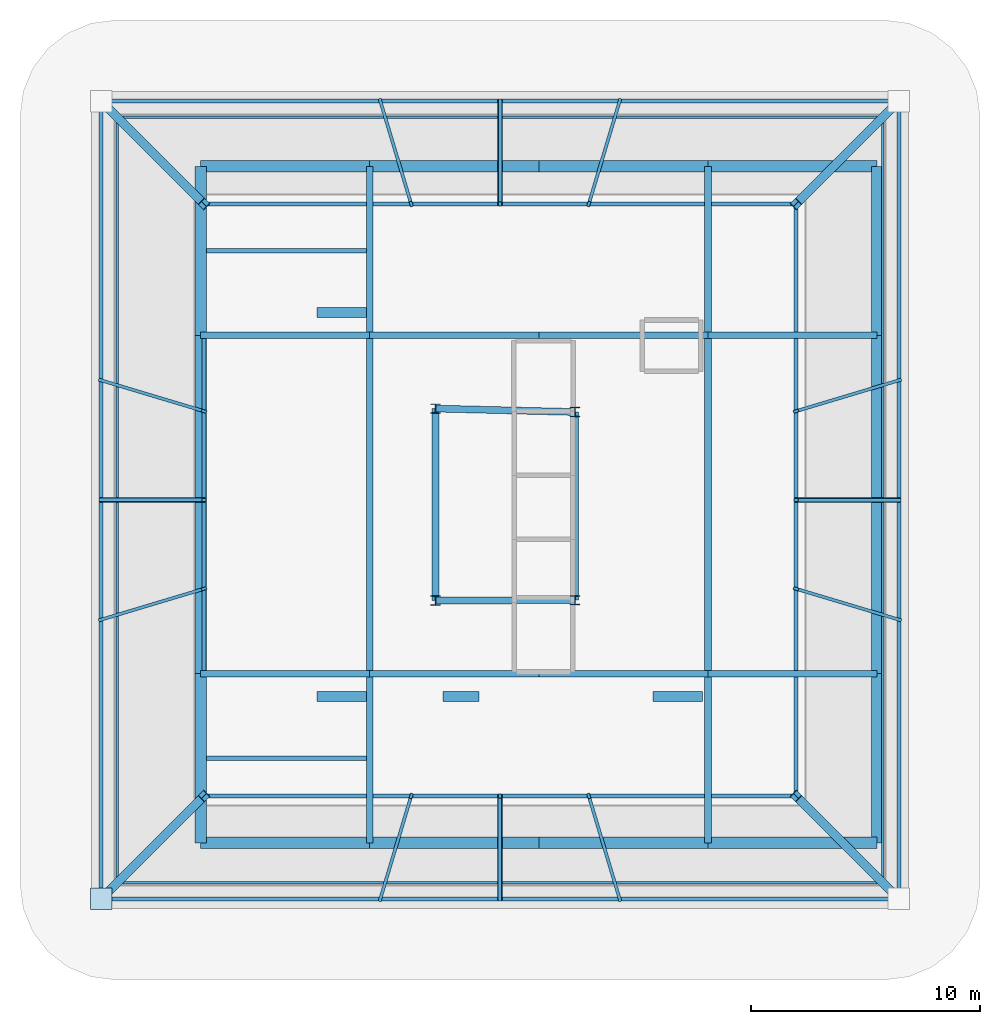
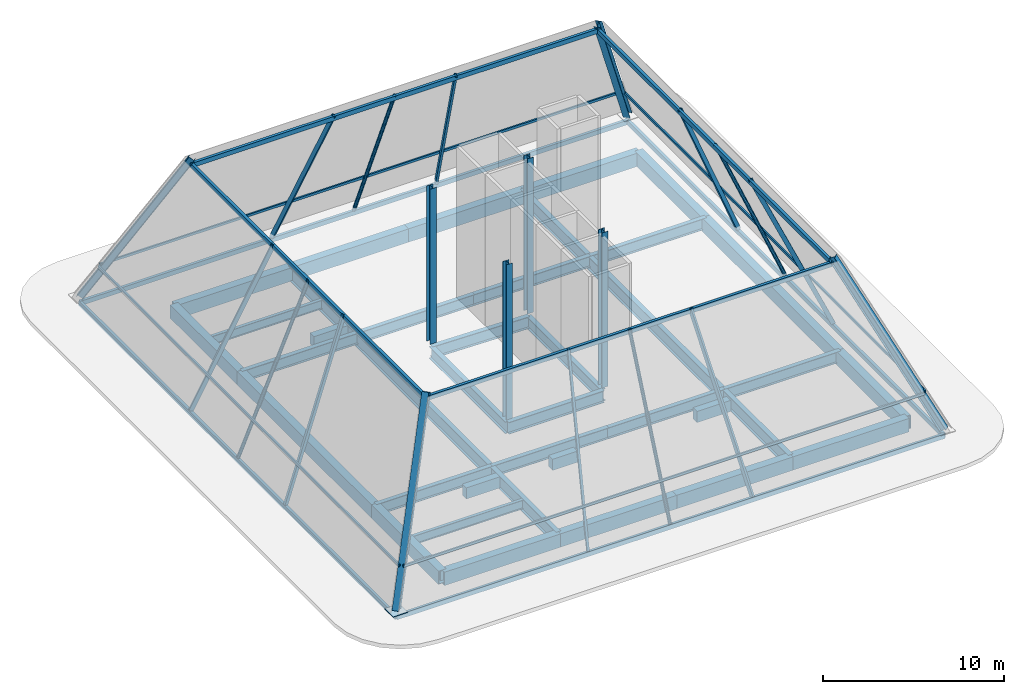
# One storey, part 1 of 2: 46 beams, 20 members, 4 columns, 1 plate, 4 elements without a shape of their own.
"""IFC4 building model written with IfcOpenShell, lengths in metres."""

from ifc_helpers import new_model, si_unit, direction, frame, origin, origin_2d, place, context, subcontext, project, spatial, rectangle, hollow_rectangle, hollow_circle, i_section, extrude, material, layer, layer_set, material_profile, profile_set, type_object, element, aggregate, save


model = new_model("IFC4")

# Units and contexts
model_context = context("Model", 3, precision=1e-05, world=origin(), true_north=direction((0.0, 1.0)))
body_context = subcontext(model_context, "Body", "Model", "MODEL_VIEW")
ifc_project = project(units=[si_unit("LENGTHUNIT", "METRE"), si_unit("AREAUNIT", "SQUARE_METRE"), si_unit("VOLUMEUNIT", "CUBIC_METRE"), si_unit("PLANEANGLEUNIT", "RADIAN"), si_unit("MASSUNIT", "GRAM", prefix="KILO")], contexts=[model_context])

# Site, building, storey
site_placement = place(None, origin())
site = spatial("IfcSite", under=ifc_project, at=site_placement, CompositionType="ELEMENT")
building_placement = place(site_placement, origin())
building = spatial("IfcBuilding", under=site, at=building_placement, Name="Khorvyn Point Tower", CompositionType="ELEMENT")
storey_placement = place(building_placement, frame((0.0, 0.0, 313.199951171875)))
storey = spatial("IfcBuildingStorey", under=building, at=storey_placement, Name="L77", CompositionType="ELEMENT", Elevation=313.199951171875)

# Columns
ifc_material_1 = material(Name="Steel S355", Category="steel")
ifc_material_profile_1 = material_profile(ifc_material_1, i_section(OverallWidth=0.39990234375, OverallDepth=0.39990234375, WebThickness=0.02099609375, FlangeThickness=0.02099609375, at=origin_2d()))
ifc_profile_set_1 = profile_set([ifc_material_profile_1], Name="Steel S355 H400x400x21x21")
column_type = type_object("IfcColumnType", Name="Steel S355 Structural Column H400x400x21x21", PredefinedType="COLUMN", material=ifc_profile_set_1)
for number, where, z_axis, x_axis, name in (
    (1, (-4.52001953125, -4.199951171875, 0.0), (0.0, 0.0, 1.0), (1.0, 0.0, 0.0), "L77 Crown Core Spine Column 1"),
    (2, (1.580078125, -4.179931640625, 0.0), (0.0, 0.0, 1.0), (1.0, 0.0, 0.0), "L77 Crown Core Spine Column 2"),
    (3, (1.580078125, 4.050048828125, 0.0), (0.0, 0.0, 1.0), (1.0, 0.0, 0.0), "L77 Crown Core Spine Column 3"),
    (4, (-4.52001953125, 4.199951171875, 0.0), (0.0, 0.0, 1.0), (1.0, 0.0, 0.0), "L77 Crown Core Spine Column 4"),
):
    element("IfcColumn", number, at=place(storey_placement, frame(where, z_axis=z_axis, x_axis=x_axis)), inside=storey, type_object=column_type, Name=name, PredefinedType="COLUMN", context=body_context, shape_type="SweptSolid", body=[
        extrude(i_section(OverallWidth=0.39990234375, OverallDepth=0.39990234375, WebThickness=0.02099609375, FlangeThickness=0.02099609375, at=origin_2d()), origin(), (0.0, 0.0, 1.0), 10.449951171875),
    ])

# Curtain wall, member
ifc_material_2 = material(Name="Anodised aluminium 6063-T6 and laminated Low-E glass", Category="aluminium")
ifc_layer_1 = layer(ifc_material_2, 0.18994140625)
ifc_layer_set_1 = layer_set([ifc_layer_1], Name="Stick-Built Crystal Atrium Curtain Wall CW-SYS-06")
curtain_wall_type = type_object("IfcCurtainWallType", Name="Stick-Built Crystal Atrium Curtain Wall CW-SYS-06", PredefinedType="NOTDEFINED", material=ifc_layer_set_1)
curtain_wall_1_placement = place(storey_placement, origin())
curtain_wall_1 = element("IfcCurtainWall", 5, at=curtain_wall_1_placement, inside=storey, type_object=curtain_wall_type, Name="L77 Glass-Point Crown Pyramid South Curtain Wall", PredefinedType="NOTDEFINED")
ifc_material_3 = material(Name="Anodised aluminium 6063-T6", Category="aluminium")
ifc_material_profile_2 = material_profile(ifc_material_3, hollow_rectangle(XDim=0.10009765625, YDim=0.159912109375, WallThickness=0.00439453125, at=origin_2d()))
ifc_profile_set_2 = profile_set([ifc_material_profile_2], Name="Anodised aluminium 6063-T6 ALU-TRN-100x160")
member_type_1 = type_object("IfcMemberType", Name="Anodised Aluminium 6063-T6 Transom ALU-TRN-100x160", PredefinedType="USERDEFINED", material=ifc_profile_set_2)
member_1_placement = place(storey_placement, frame((-18.31005859375, -16.550048828125, 2.299072265625), z_axis=(1.0, 0.0, 0.0), x_axis=(0.0, 1.0, 0.0)))
member_1 = element("IfcMember", 6, at=member_1_placement, type_object=member_type_1, Name="L77 Crown Transom SOUTH", ObjectType="TRANSOM", PredefinedType="USERDEFINED", context=body_context, shape_type="SweptSolid", body=[
    extrude(hollow_rectangle(XDim=0.10009765625, YDim=0.159912109375, WallThickness=0.00439453125, at=origin_2d()), origin(), (0.0, 0.0, 1.0), 33.219970703125),
])
aggregate(curtain_wall_1, [member_1])

curtain_wall_2_placement = place(storey_placement, origin())
curtain_wall_2 = element("IfcCurtainWall", 7, at=curtain_wall_2_placement, inside=storey, type_object=curtain_wall_type, Name="L77 Glass-Point Crown Pyramid East Curtain Wall", PredefinedType="NOTDEFINED")
member_2_placement = place(storey_placement, frame((15.050048828125, -16.409912109375, 2.299072265625), z_axis=(0.0, 1.0, 0.0), x_axis=(-1.0, 0.0, 0.0)))
member_2 = element("IfcMember", 8, at=member_2_placement, type_object=member_type_1, Name="L77 Crown Transom EAST", ObjectType="TRANSOM", PredefinedType="USERDEFINED", context=body_context, shape_type="SweptSolid", body=[
    extrude(hollow_rectangle(XDim=0.10009765625, YDim=0.159912109375, WallThickness=0.00439453125, at=origin_2d()), origin(), (0.0, 0.0, 1.0), 33.219970703125),
])
aggregate(curtain_wall_2, [member_2])

curtain_wall_3_placement = place(storey_placement, origin())
curtain_wall_3 = element("IfcCurtainWall", 9, at=curtain_wall_3_placement, inside=storey, type_object=curtain_wall_type, Name="L77 Glass-Point Crown Pyramid North Curtain Wall", PredefinedType="NOTDEFINED")
member_3_placement = place(storey_placement, frame((14.909912109375, 16.949951171875, 2.299072265625), z_axis=(-1.0, 0.0, 0.0), x_axis=(0.0, -1.0, 0.0)))
member_3 = element("IfcMember", 10, at=member_3_placement, type_object=member_type_1, Name="L77 Crown Transom NORTH", ObjectType="TRANSOM", PredefinedType="USERDEFINED", context=body_context, shape_type="SweptSolid", body=[
    extrude(hollow_rectangle(XDim=0.10009765625, YDim=0.159912109375, WallThickness=0.00439453125, at=origin_2d()), origin(), (0.0, 0.0, 1.0), 33.219970703125),
])
aggregate(curtain_wall_3, [member_3])

curtain_wall_4_placement = place(storey_placement, origin())
curtain_wall_4 = element("IfcCurtainWall", 11, at=curtain_wall_4_placement, inside=storey, type_object=curtain_wall_type, Name="L77 Glass-Point Crown Pyramid West Curtain Wall", PredefinedType="NOTDEFINED")
member_4_placement = place(storey_placement, frame((-18.449951171875, 16.81005859375, 2.299072265625), z_axis=(0.0, -1.0, 0.0), x_axis=(1.0, 0.0, 0.0)))
member_4 = element("IfcMember", 12, at=member_4_placement, type_object=member_type_1, Name="L77 Crown Transom WEST", ObjectType="TRANSOM", PredefinedType="USERDEFINED", context=body_context, shape_type="SweptSolid", body=[
    extrude(hollow_rectangle(XDim=0.10009765625, YDim=0.159912109375, WallThickness=0.00439453125, at=origin_2d()), origin(), (0.0, 0.0, 1.0), 33.219970703125),
])
aggregate(curtain_wall_4, [member_4])

# Beams
ifc_material_4 = material(Name="Concrete C40/50", Category="concrete")
ifc_material_profile_3 = material_profile(ifc_material_4, rectangle(XDim=0.449951171875, YDim=0.75, at=origin_2d()))
ifc_profile_set_3 = profile_set([ifc_material_profile_3], Name="Concrete C40/50 RC450x750")
beam_type_1 = type_object("IfcBeamType", Name="Concrete C40/50 Beam RC450x750", PredefinedType="BEAM", material=ifc_profile_set_3)
beam_1_placement = place(storey_placement, frame((-9.699951171875, -8.39990234375, -0.635009765625), z_axis=(1.0, 0.0, 0.0), x_axis=(0.0, 1.0, 0.0)))
element("IfcBeam", 13, at=beam_1_placement, inside=storey, type_object=beam_type_1, Name="L77 Core Southwest Portal Coupling Beam", PredefinedType="BEAM", context=body_context, shape_type="SweptSolid", body=[
    extrude(rectangle(XDim=0.449951171875, YDim=0.75, at=origin_2d()), origin(), (0.0, 0.0, 1.0), 2.14990234375),
])
beam_2_placement = place(storey_placement, frame((-4.199951171875, -8.39990234375, -0.635009765625), z_axis=(1.0, 0.0, 0.0), x_axis=(0.0, 1.0, 0.0)))
element("IfcBeam", 14, at=beam_2_placement, inside=storey, type_object=beam_type_1, Name="L77 Core Shuttle Portal Coupling Beam", PredefinedType="BEAM", context=body_context, shape_type="SweptSolid", body=[
    extrude(rectangle(XDim=0.449951171875, YDim=0.75, at=origin_2d()), origin(), (0.0, 0.0, 1.0), 1.579833984375),
])
for number, where, z_axis, x_axis, name in (
    (15, (5.0, -8.39990234375, -0.635009765625), (1.0, 0.0, 0.0), (0.0, 1.0, 0.0), "L77 Core Southeast Portal Coupling Beam"),
    (16, (-9.699951171875, 8.39990234375, -0.635009765625), (1.0, 0.0, 0.0), (0.0, 1.0, 0.0), "L77 Core Northwest Portal Coupling Beam"),
):
    element("IfcBeam", number, at=place(storey_placement, frame(where, z_axis=z_axis, x_axis=x_axis)), inside=storey, type_object=beam_type_1, Name=name, PredefinedType="BEAM", context=body_context, shape_type="SweptSolid", body=[
        extrude(rectangle(XDim=0.449951171875, YDim=0.75, at=origin_2d()), origin(), (0.0, 0.0, 1.0), 2.14990234375),
    ])
ifc_material_profile_4 = material_profile(ifc_material_1, i_section(OverallWidth=0.199951171875, OverallDepth=0.60009765625, WebThickness=0.010986328125, FlangeThickness=0.01708984375, at=origin_2d()))
ifc_profile_set_4 = profile_set([ifc_material_profile_4], Name="Steel S355 H600x200x11x17")
beam_type_2 = type_object("IfcBeamType", Name="Steel S355 Beam H600x200x11x17", PredefinedType="BEAM", material=ifc_profile_set_4)
for number, where, z_axis, x_axis, name in (
    (17, (-14.550048828125, -11.10009765625, -0.56005859375), (1.0, 0.0, 0.0), (0.0, 1.0, 0.0), "Beam"),
    (18, (-14.550048828125, 11.10009765625, -0.56005859375), (1.0, 0.0, 0.0), (0.0, 1.0, 0.0), "Beam"),
):
    element("IfcBeam", number, at=place(storey_placement, frame(where, z_axis=z_axis, x_axis=x_axis)), inside=storey, type_object=beam_type_2, Name=name, PredefinedType="BEAM", context=body_context, shape_type="SweptSolid", body=[
        extrude(i_section(OverallWidth=0.199951171875, OverallDepth=0.60009765625, WebThickness=0.010986328125, FlangeThickness=0.01708984375, at=origin_2d()), origin(), (0.0, 0.0, 1.0), 7.0),
    ])
ifc_material_profile_5 = material_profile(ifc_material_1, i_section(OverallWidth=0.280029296875, OverallDepth=0.75, WebThickness=0.012939453125, FlangeThickness=0.02392578125, at=origin_2d()))
ifc_profile_set_5 = profile_set([ifc_material_profile_5], Name="Steel S355 H750x280x13x24")
beam_type_3 = type_object("IfcBeamType", Name="Steel S355 Beam H750x280x13x24", PredefinedType="BEAM", material=ifc_profile_set_5)
beam_3_placement = place(storey_placement, frame((-14.800048828125, -7.39990234375, -0.635009765625), z_axis=(1.0, 0.0, 0.0), x_axis=(0.0, 1.0, 0.0)))
element("IfcBeam", 19, at=beam_3_placement, inside=storey, type_object=beam_type_3, Name="L77 Crown Base Transfer Girder X", PredefinedType="BEAM", context=body_context, shape_type="SweptSolid", body=[
    extrude(i_section(OverallWidth=0.280029296875, OverallDepth=0.75, WebThickness=0.012939453125, FlangeThickness=0.02392578125, at=origin_2d()), origin(), (0.0, 0.0, 1.0), 7.400146484375),
])
for number, where, z_axis, x_axis, name in (
    (20, (-7.39990234375, -7.39990234375, -0.635009765625), (1.0, 0.0, 0.0), (0.0, 1.0, 0.0), "L77 Crown Base Transfer Girder X"),
    (21, (0.0, -7.39990234375, -0.635009765625), (1.0, 0.0, 0.0), (0.0, 1.0, 0.0), "L77 Crown Base Transfer Girder X"),
):
    element("IfcBeam", number, at=place(storey_placement, frame(where, z_axis=z_axis, x_axis=x_axis)), inside=storey, type_object=beam_type_3, Name=name, PredefinedType="BEAM", context=body_context, shape_type="SweptSolid", body=[
        extrude(i_section(OverallWidth=0.280029296875, OverallDepth=0.75, WebThickness=0.012939453125, FlangeThickness=0.02392578125, at=origin_2d()), origin(), (0.0, 0.0, 1.0), 7.39990234375),
    ])
for number, where, z_axis, x_axis, name in (
    (22, (7.39990234375, -7.39990234375, -0.635009765625), (1.0, 0.0, 0.0), (0.0, 1.0, 0.0), "L77 Crown Base Transfer Girder X"),
    (23, (-14.800048828125, 7.39990234375, -0.635009765625), (1.0, 0.0, 0.0), (0.0, 1.0, 0.0), "L77 Crown Base Transfer Girder X"),
):
    element("IfcBeam", number, at=place(storey_placement, frame(where, z_axis=z_axis, x_axis=x_axis)), inside=storey, type_object=beam_type_3, Name=name, PredefinedType="BEAM", context=body_context, shape_type="SweptSolid", body=[
        extrude(i_section(OverallWidth=0.280029296875, OverallDepth=0.75, WebThickness=0.012939453125, FlangeThickness=0.02392578125, at=origin_2d()), origin(), (0.0, 0.0, 1.0), 7.400146484375),
    ])
for number, where, z_axis, x_axis, name in (
    (24, (-7.39990234375, 7.39990234375, -0.635009765625), (1.0, 0.0, 0.0), (0.0, 1.0, 0.0), "L77 Crown Base Transfer Girder X"),
    (25, (0.0, 7.39990234375, -0.635009765625), (1.0, 0.0, 0.0), (0.0, 1.0, 0.0), "L77 Crown Base Transfer Girder X"),
):
    element("IfcBeam", number, at=place(storey_placement, frame(where, z_axis=z_axis, x_axis=x_axis)), inside=storey, type_object=beam_type_3, Name=name, PredefinedType="BEAM", context=body_context, shape_type="SweptSolid", body=[
        extrude(i_section(OverallWidth=0.280029296875, OverallDepth=0.75, WebThickness=0.012939453125, FlangeThickness=0.02392578125, at=origin_2d()), origin(), (0.0, 0.0, 1.0), 7.39990234375),
    ])
beam_4_placement = place(storey_placement, frame((7.39990234375, 7.39990234375, -0.635009765625), z_axis=(1.0, 0.0, 0.0), x_axis=(0.0, 1.0, 0.0)))
element("IfcBeam", 26, at=beam_4_placement, inside=storey, type_object=beam_type_3, Name="L77 Crown Base Transfer Girder X", PredefinedType="BEAM", context=body_context, shape_type="SweptSolid", body=[
    extrude(i_section(OverallWidth=0.280029296875, OverallDepth=0.75, WebThickness=0.012939453125, FlangeThickness=0.02392578125, at=origin_2d()), origin(), (0.0, 0.0, 1.0), 7.400146484375),
])
ifc_material_profile_6 = material_profile(ifc_material_1, hollow_rectangle(XDim=0.179931640625, YDim=0.300048828125, WallThickness=0.011962890625, at=origin_2d()))
ifc_profile_set_6 = profile_set([ifc_material_profile_6], Name="Steel S355 RHS300x180x12")
beam_type_4 = type_object("IfcBeamType", Name="Steel S355 Beam RHS300x180x12", PredefinedType="BEAM", material=ifc_profile_set_6)
for number, where, z_axis, x_axis, name in (
    (27, (-19.14990234375, -17.25, -0.409912109375), (1.0, 0.0, 0.0), (0.0, 1.0, 0.0), "L77 Crown Base Ring Beam 1"),
    (28, (15.75, -17.25, -0.409912109375), (0.0, 1.0, 0.0), (-1.0, 0.0, 0.0), "L77 Crown Base Ring Beam 2"),
    (29, (15.75, 17.64990234375, -0.409912109375), (-1.0, 0.0, 0.0), (0.0, -1.0, 0.0), "L77 Crown Base Ring Beam 3"),
    (30, (-19.14990234375, 17.64990234375, -0.409912109375), (0.0, -1.0, 0.0), (1.0, 0.0, 0.0), "L77 Crown Base Ring Beam 4"),
):
    element("IfcBeam", number, at=place(storey_placement, frame(where, z_axis=z_axis, x_axis=x_axis)), inside=storey, type_object=beam_type_4, Name=name, PredefinedType="BEAM", context=body_context, shape_type="SweptSolid", body=[
        extrude(hollow_rectangle(XDim=0.179931640625, YDim=0.300048828125, WallThickness=0.011962890625, at=origin_2d()), origin(), (0.0, 0.0, 1.0), 34.89990234375),
    ])
for number, where, z_axis, x_axis, name in (
    (31, (-14.64990234375, -12.75, 10.0400390625), (1.0, 0.0, 0.0), (0.0, 1.0, 0.0), "L77 Crown Top Ring Beam 1"),
    (32, (11.25, -12.75, 10.0400390625), (0.0, 1.0, 0.0), (-1.0, 0.0, 0.0), "L77 Crown Top Ring Beam 2"),
    (33, (11.25, 13.14990234375, 10.0400390625), (-1.0, 0.0, 0.0), (0.0, -1.0, 0.0), "L77 Crown Top Ring Beam 3"),
    (34, (-14.64990234375, 13.14990234375, 10.0400390625), (0.0, -1.0, 0.0), (1.0, 0.0, 0.0), "L77 Crown Top Ring Beam 4"),
):
    element("IfcBeam", number, at=place(storey_placement, frame(where, z_axis=z_axis, x_axis=x_axis)), inside=storey, type_object=beam_type_4, Name=name, PredefinedType="BEAM", context=body_context, shape_type="SweptSolid", body=[
        extrude(hollow_rectangle(XDim=0.179931640625, YDim=0.300048828125, WallThickness=0.011962890625, at=origin_2d()), origin(), (0.0, 0.0, 1.0), 25.89990234375),
    ])

# Members
ifc_material_profile_7 = material_profile(ifc_material_1, i_section(OverallWidth=0.39990234375, OverallDepth=0.39990234375, WebThickness=0.02099609375, FlangeThickness=0.02099609375, at=origin_2d()))
ifc_profile_set_7 = profile_set([ifc_material_profile_7], Name="Steel S355 H400x400x21x21")
member_type_2 = type_object("IfcMemberType", Name="Steel S355 Exoskeleton Structural Post H400x400x21x21", PredefinedType="POST", material=ifc_profile_set_7)
for number, where, z_axis, x_axis, name in (
    (35, (-19.14990234375, -17.25, 0.0), (0.367789619495, 0.367789619495, 0.85408523672), (-0.707106781187, 0.707106781187, 0.0), "L77 CROWN FRAME Corner Hip Post 1"),
    (36, (15.75, -17.25, 0.0), (-0.367789619495, 0.367789619495, 0.85408523672), (-0.707106781187, -0.707106781187, 0.0), "L77 CROWN FRAME Corner Hip Post 2"),
    (37, (15.75, 17.64990234375, 0.0), (-0.367789619495, -0.367789619495, 0.85408523672), (0.707106781187, -0.707106781187, 0.0), "L77 CROWN FRAME Corner Hip Post 3"),
    (38, (-19.14990234375, 17.64990234375, 0.0), (0.367789619495, -0.367789619495, 0.85408523672), (0.707106781187, 0.707106781187, 0.0), "L77 CROWN FRAME Corner Hip Post 4"),
):
    element("IfcMember", number, at=place(storey_placement, frame(where, z_axis=z_axis, x_axis=x_axis)), inside=storey, type_object=member_type_2, Name=name, PredefinedType="POST", context=body_context, shape_type="SweptSolid", body=[
        extrude(i_section(OverallWidth=0.39990234375, OverallDepth=0.39990234375, WebThickness=0.02099609375, FlangeThickness=0.02099609375, at=origin_2d()), origin(), (0.0, 0.0, 1.0), 12.2353515625),
    ])
ifc_material_profile_8 = material_profile(ifc_material_1, hollow_circle(Radius=0.109619140625, WallThickness=0.008056640625, at=origin_2d()))
ifc_profile_set_8 = profile_set([ifc_material_profile_8], Name="Steel S355 CHS219.1x8")
member_type_3 = type_object("IfcMemberType", Name="Steel S355 Truss Rafter CHS219.1x8", PredefinedType="RAFTER", material=ifc_profile_set_8)
for number, where, z_axis, x_axis, name in (
    (39, (-1.699951171875, -17.25, -0.260009765625), (0.0, 0.395511398848, 0.918461067973), (-1.0, 0.0, 0.0), "L77 CROWN FRAME Secondary Rafter 1"),
    (40, (15.75, 0.199951171875, -0.260009765625), (-0.395511398848, 0.0, 0.918461067973), (0.0, -1.0, 0.0), "L77 CROWN FRAME Secondary Rafter 2"),
    (41, (-1.699951171875, 17.64990234375, -0.260009765625), (0.0, -0.395511398848, 0.918461067973), (1.0, 0.0, 0.0), "L77 CROWN FRAME Secondary Rafter 3"),
    (42, (-19.14990234375, 0.199951171875, -0.260009765625), (0.395511398848, 0.0, 0.918461067973), (0.0, 1.0, 0.0), "L77 CROWN FRAME Secondary Rafter 4"),
):
    element("IfcMember", number, at=place(storey_placement, frame(where, z_axis=z_axis, x_axis=x_axis)), inside=storey, type_object=member_type_3, Name=name, PredefinedType="RAFTER", context=body_context, shape_type="SweptSolid", body=[
        extrude(hollow_circle(Radius=0.109619140625, WallThickness=0.008056640625, at=origin_2d()), origin(), (0.0, 0.0, 1.0), 11.377685546875),
    ])
ifc_material_profile_9 = material_profile(ifc_material_1, hollow_rectangle(XDim=0.139892578125, YDim=0.260009765625, WallThickness=0.010009765625, at=origin_2d()))
ifc_profile_set_9 = profile_set([ifc_material_profile_9], Name="Steel S355 RHS260x140x10")
member_type_4 = type_object("IfcMemberType", Name="Steel S355 Truss Rafter RHS260x140x10", PredefinedType="RAFTER", material=ifc_profile_set_9)
for number, where, z_axis, x_axis, name in (
    (43, (-6.93505859375, -17.25, -0.260009765625), (0.117835302692, 0.392755931143, 0.912062289535), (-0.957820564104, 0.287366955268, 0.0), "L77 CROWN FRAME Primary Rafter 1-1"),
    (44, (3.534912109375, -17.25, -0.260009765625), (-0.11781429011, 0.39275691722, 0.912064579414), (-0.957834866313, -0.287319280374, 0.0), "L77 CROWN FRAME Primary Rafter 1-2"),
    (45, (15.75, -5.034912109375, -0.260009765625), (-0.39275691722, 0.11781429011, 0.912064579414), (-0.287319280374, -0.957834866313, 0.0), "L77 CROWN FRAME Primary Rafter 2-1"),
    (46, (15.75, 5.43505859375, -0.260009765625), (-0.392755931143, -0.117835302692, 0.912062289535), (0.287366955268, -0.957820564104, 0.0), "L77 CROWN FRAME Primary Rafter 2-2"),
    (47, (3.534912109375, 17.64990234375, -0.260009765625), (-0.11781429011, -0.39275691722, 0.912064579414), (0.957834866313, -0.287319280374, 0.0), "L77 CROWN FRAME Primary Rafter 3-1"),
    (48, (-6.93505859375, 17.64990234375, -0.260009765625), (0.117835302692, -0.392755931143, 0.912062289535), (0.957820564104, 0.287366955268, 0.0), "L77 CROWN FRAME Primary Rafter 3-2"),
    (49, (-19.14990234375, 5.43505859375, -0.260009765625), (0.392755931143, -0.117835302692, 0.912062289535), (0.287366955268, 0.957820564104, 0.0), "L77 CROWN FRAME Primary Rafter 4-1"),
    (50, (-19.14990234375, -5.034912109375, -0.260009765625), (0.39275691722, 0.11781429011, 0.912064579414), (-0.287319280374, 0.957834866313, 0.0), "L77 CROWN FRAME Primary Rafter 4-2"),
):
    element("IfcMember", number, at=place(storey_placement, frame(where, z_axis=z_axis, x_axis=x_axis)), inside=storey, type_object=member_type_4, Name=name, PredefinedType="RAFTER", context=body_context, shape_type="SweptSolid", body=[
        extrude(hollow_rectangle(XDim=0.139892578125, YDim=0.260009765625, WallThickness=0.010009765625, at=origin_2d()), origin(), (0.0, 0.0, 1.0), 11.45751953125),
    ])

# Beams
ifc_material_5 = material(Name="Steel S450", Category="steel")
ifc_material_profile_10 = material_profile(ifc_material_5, hollow_rectangle(XDim=0.5, YDim=0.89990234375, WallThickness=0.0400390625, at=origin_2d()))
ifc_profile_set_10 = profile_set([ifc_material_profile_10], Name="Steel S450 BOX900x500x40")
beam_type_5 = type_object("IfcBeamType", Name="Steel S450 Beam BOX900x500x40", PredefinedType="BEAM", material=ifc_profile_set_10)
beam_5_placement = place(storey_placement, frame((-14.800048828125, -14.800048828125, -0.7099609375), z_axis=(1.0, 0.0, 0.0), x_axis=(0.0, 1.0, 0.0)))
element("IfcBeam", 51, at=beam_5_placement, inside=storey, type_object=beam_type_5, Name="L77 Crown Base Transfer Girder X", PredefinedType="BEAM", context=body_context, shape_type="SweptSolid", body=[
    extrude(hollow_rectangle(XDim=0.5, YDim=0.89990234375, WallThickness=0.0400390625, at=origin_2d()), origin(), (0.0, 0.0, 1.0), 7.400146484375),
])
for number, where, z_axis, x_axis, name in (
    (52, (-7.39990234375, -14.800048828125, -0.7099609375), (1.0, 0.0, 0.0), (0.0, 1.0, 0.0), "L77 Crown Base Transfer Girder X"),
    (53, (0.0, -14.800048828125, -0.7099609375), (1.0, 0.0, 0.0), (0.0, 1.0, 0.0), "L77 Crown Base Transfer Girder X"),
):
    element("IfcBeam", number, at=place(storey_placement, frame(where, z_axis=z_axis, x_axis=x_axis)), inside=storey, type_object=beam_type_5, Name=name, PredefinedType="BEAM", context=body_context, shape_type="SweptSolid", body=[
        extrude(hollow_rectangle(XDim=0.5, YDim=0.89990234375, WallThickness=0.0400390625, at=origin_2d()), origin(), (0.0, 0.0, 1.0), 7.39990234375),
    ])
for number, where, z_axis, x_axis, name in (
    (54, (7.39990234375, -14.800048828125, -0.7099609375), (1.0, 0.0, 0.0), (0.0, 1.0, 0.0), "L77 Crown Base Transfer Girder X"),
    (55, (-14.800048828125, 14.800048828125, -0.7099609375), (1.0, 0.0, 0.0), (0.0, 1.0, 0.0), "L77 Crown Base Transfer Girder X"),
):
    element("IfcBeam", number, at=place(storey_placement, frame(where, z_axis=z_axis, x_axis=x_axis)), inside=storey, type_object=beam_type_5, Name=name, PredefinedType="BEAM", context=body_context, shape_type="SweptSolid", body=[
        extrude(hollow_rectangle(XDim=0.5, YDim=0.89990234375, WallThickness=0.0400390625, at=origin_2d()), origin(), (0.0, 0.0, 1.0), 7.400146484375),
    ])
for number, where, z_axis, x_axis, name in (
    (56, (-7.39990234375, 14.800048828125, -0.7099609375), (1.0, 0.0, 0.0), (0.0, 1.0, 0.0), "L77 Crown Base Transfer Girder X"),
    (57, (0.0, 14.800048828125, -0.7099609375), (1.0, 0.0, 0.0), (0.0, 1.0, 0.0), "L77 Crown Base Transfer Girder X"),
):
    element("IfcBeam", number, at=place(storey_placement, frame(where, z_axis=z_axis, x_axis=x_axis)), inside=storey, type_object=beam_type_5, Name=name, PredefinedType="BEAM", context=body_context, shape_type="SweptSolid", body=[
        extrude(hollow_rectangle(XDim=0.5, YDim=0.89990234375, WallThickness=0.0400390625, at=origin_2d()), origin(), (0.0, 0.0, 1.0), 7.39990234375),
    ])
for number, where, z_axis, x_axis, name in (
    (58, (7.39990234375, 14.800048828125, -0.7099609375), (1.0, 0.0, 0.0), (0.0, 1.0, 0.0), "L77 Crown Base Transfer Girder X"),
    (59, (-14.800048828125, -14.800048828125, -0.7099609375), (0.0, 1.0, 0.0), (-1.0, 0.0, 0.0), "L77 Crown Base Transfer Girder Y"),
):
    element("IfcBeam", number, at=place(storey_placement, frame(where, z_axis=z_axis, x_axis=x_axis)), inside=storey, type_object=beam_type_5, Name=name, PredefinedType="BEAM", context=body_context, shape_type="SweptSolid", body=[
        extrude(hollow_rectangle(XDim=0.5, YDim=0.89990234375, WallThickness=0.0400390625, at=origin_2d()), origin(), (0.0, 0.0, 1.0), 7.400146484375),
    ])
beam_6_placement = place(storey_placement, frame((-14.800048828125, -7.39990234375, -0.7099609375), z_axis=(0.0, 1.0, 0.0), x_axis=(-1.0, 0.0, 0.0)))
element("IfcBeam", 60, at=beam_6_placement, inside=storey, type_object=beam_type_5, Name="L77 Crown Base Transfer Girder Y", PredefinedType="BEAM", context=body_context, shape_type="SweptSolid", body=[
    extrude(hollow_rectangle(XDim=0.5, YDim=0.89990234375, WallThickness=0.0400390625, at=origin_2d()), origin(), (0.0, 0.0, 1.0), 14.7998046875),
])
for number, where, z_axis, x_axis, name in (
    (61, (-14.800048828125, 7.39990234375, -0.7099609375), (0.0, 1.0, 0.0), (-1.0, 0.0, 0.0), "L77 Crown Base Transfer Girder Y"),
    (62, (14.800048828125, -14.800048828125, -0.7099609375), (0.0, 1.0, 0.0), (-1.0, 0.0, 0.0), "L77 Crown Base Transfer Girder Y"),
):
    element("IfcBeam", number, at=place(storey_placement, frame(where, z_axis=z_axis, x_axis=x_axis)), inside=storey, type_object=beam_type_5, Name=name, PredefinedType="BEAM", context=body_context, shape_type="SweptSolid", body=[
        extrude(hollow_rectangle(XDim=0.5, YDim=0.89990234375, WallThickness=0.0400390625, at=origin_2d()), origin(), (0.0, 0.0, 1.0), 7.400146484375),
    ])
beam_7_placement = place(storey_placement, frame((14.800048828125, -7.39990234375, -0.7099609375), z_axis=(0.0, 1.0, 0.0), x_axis=(-1.0, 0.0, 0.0)))
element("IfcBeam", 63, at=beam_7_placement, inside=storey, type_object=beam_type_5, Name="L77 Crown Base Transfer Girder Y", PredefinedType="BEAM", context=body_context, shape_type="SweptSolid", body=[
    extrude(hollow_rectangle(XDim=0.5, YDim=0.89990234375, WallThickness=0.0400390625, at=origin_2d()), origin(), (0.0, 0.0, 1.0), 14.7998046875),
])
beam_8_placement = place(storey_placement, frame((14.800048828125, 7.39990234375, -0.7099609375), z_axis=(0.0, 1.0, 0.0), x_axis=(-1.0, 0.0, 0.0)))
element("IfcBeam", 64, at=beam_8_placement, inside=storey, type_object=beam_type_5, Name="L77 Crown Base Transfer Girder Y", PredefinedType="BEAM", context=body_context, shape_type="SweptSolid", body=[
    extrude(hollow_rectangle(XDim=0.5, YDim=0.89990234375, WallThickness=0.0400390625, at=origin_2d()), origin(), (0.0, 0.0, 1.0), 7.400146484375),
])
ifc_material_profile_11 = material_profile(ifc_material_5, i_section(OverallWidth=0.300048828125, OverallDepth=0.800048828125, WebThickness=0.013916015625, FlangeThickness=0.02587890625, at=origin_2d()))
ifc_profile_set_11 = profile_set([ifc_material_profile_11], Name="Steel S450 H800x300x14x26")
beam_type_6 = type_object("IfcBeamType", Name="Steel S450 Beam H800x300x14x26", PredefinedType="BEAM", material=ifc_profile_set_11)
beam_9_placement = place(storey_placement, frame((-4.52001953125, -4.199951171875, -0.659912109375), z_axis=(0.999994614814, 0.003281820156, 0.0), x_axis=(-0.003281820156, 0.999994614814, 0.0)))
element("IfcBeam", 65, at=beam_9_placement, inside=storey, type_object=beam_type_6, Name="L77 Crown Core Ring Beam S", PredefinedType="BEAM", context=body_context, shape_type="SweptSolid", body=[
    extrude(i_section(OverallWidth=0.300048828125, OverallDepth=0.800048828125, WebThickness=0.013916015625, FlangeThickness=0.02587890625, at=origin_2d()), origin(), (0.0, 0.0, 1.0), 6.10009765625),
])
beam_10_placement = place(storey_placement, frame((-4.52001953125, 4.199951171875, -0.659912109375), z_axis=(0.999698201806, -0.02456634499, 0.0), x_axis=(0.02456634499, 0.999698201806, 0.0)))
element("IfcBeam", 66, at=beam_10_placement, inside=storey, type_object=beam_type_6, Name="L77 Crown Core Ring Beam N", PredefinedType="BEAM", context=body_context, shape_type="SweptSolid", body=[
    extrude(i_section(OverallWidth=0.300048828125, OverallDepth=0.800048828125, WebThickness=0.013916015625, FlangeThickness=0.02587890625, at=origin_2d()), origin(), (0.0, 0.0, 1.0), 6.10205078125),
])
beam_11_placement = place(storey_placement, frame((-4.52001953125, -4.199951171875, -0.659912109375), z_axis=(0.0, 1.0, 0.0), x_axis=(-1.0, 0.0, 0.0)))
element("IfcBeam", 67, at=beam_11_placement, inside=storey, type_object=beam_type_6, Name="L77 Crown Core Ring Beam W", PredefinedType="BEAM", context=body_context, shape_type="SweptSolid", body=[
    extrude(i_section(OverallWidth=0.300048828125, OverallDepth=0.800048828125, WebThickness=0.013916015625, FlangeThickness=0.02587890625, at=origin_2d()), origin(), (0.0, 0.0, 1.0), 8.39990234375),
])
beam_12_placement = place(storey_placement, frame((1.580078125, -4.179931640625, -0.659912109375), z_axis=(0.0, 1.0, 0.0), x_axis=(-1.0, 0.0, 0.0)))
element("IfcBeam", 68, at=beam_12_placement, inside=storey, type_object=beam_type_6, Name="L77 Crown Core Ring Beam E", PredefinedType="BEAM", context=body_context, shape_type="SweptSolid", body=[
    extrude(i_section(OverallWidth=0.300048828125, OverallDepth=0.800048828125, WebThickness=0.013916015625, FlangeThickness=0.02587890625, at=origin_2d()), origin(), (0.0, 0.0, 1.0), 8.22998046875),
])
ifc_material_profile_12 = material_profile(ifc_material_5, i_section(OverallWidth=0.300048828125, OverallDepth=0.89990234375, WebThickness=0.01611328125, FlangeThickness=0.028076171875, at=origin_2d()))
ifc_profile_set_12 = profile_set([ifc_material_profile_12], Name="Steel S450 H900x300x16x28")
beam_type_7 = type_object("IfcBeamType", Name="Steel S450 Beam H900x300x16x28", PredefinedType="BEAM", material=ifc_profile_set_12)
beam_13_placement = place(storey_placement, frame((-7.39990234375, -14.800048828125, -0.7099609375), z_axis=(0.0, 1.0, 0.0), x_axis=(-1.0, 0.0, 0.0)))
element("IfcBeam", 69, at=beam_13_placement, inside=storey, type_object=beam_type_7, Name="L77 Crown Base Transfer Girder Y", PredefinedType="BEAM", context=body_context, shape_type="SweptSolid", body=[
    extrude(i_section(OverallWidth=0.300048828125, OverallDepth=0.89990234375, WebThickness=0.01611328125, FlangeThickness=0.028076171875, at=origin_2d()), origin(), (0.0, 0.0, 1.0), 7.400146484375),
])
beam_14_placement = place(storey_placement, frame((-7.39990234375, -7.39990234375, -0.7099609375), z_axis=(0.0, 1.0, 0.0), x_axis=(-1.0, 0.0, 0.0)))
element("IfcBeam", 70, at=beam_14_placement, inside=storey, type_object=beam_type_7, Name="L77 Crown Base Transfer Girder Y", PredefinedType="BEAM", context=body_context, shape_type="SweptSolid", body=[
    extrude(i_section(OverallWidth=0.300048828125, OverallDepth=0.89990234375, WebThickness=0.01611328125, FlangeThickness=0.028076171875, at=origin_2d()), origin(), (0.0, 0.0, 1.0), 14.7998046875),
])
for number, where, z_axis, x_axis, name in (
    (71, (-7.39990234375, 7.39990234375, -0.7099609375), (0.0, 1.0, 0.0), (-1.0, 0.0, 0.0), "L77 Crown Base Transfer Girder Y"),
    (72, (7.39990234375, -14.800048828125, -0.7099609375), (0.0, 1.0, 0.0), (-1.0, 0.0, 0.0), "L77 Crown Base Transfer Girder Y"),
):
    element("IfcBeam", number, at=place(storey_placement, frame(where, z_axis=z_axis, x_axis=x_axis)), inside=storey, type_object=beam_type_7, Name=name, PredefinedType="BEAM", context=body_context, shape_type="SweptSolid", body=[
        extrude(i_section(OverallWidth=0.300048828125, OverallDepth=0.89990234375, WebThickness=0.01611328125, FlangeThickness=0.028076171875, at=origin_2d()), origin(), (0.0, 0.0, 1.0), 7.400146484375),
    ])
beam_15_placement = place(storey_placement, frame((7.39990234375, -7.39990234375, -0.7099609375), z_axis=(0.0, 1.0, 0.0), x_axis=(-1.0, 0.0, 0.0)))
element("IfcBeam", 73, at=beam_15_placement, inside=storey, type_object=beam_type_7, Name="L77 Crown Base Transfer Girder Y", PredefinedType="BEAM", context=body_context, shape_type="SweptSolid", body=[
    extrude(i_section(OverallWidth=0.300048828125, OverallDepth=0.89990234375, WebThickness=0.01611328125, FlangeThickness=0.028076171875, at=origin_2d()), origin(), (0.0, 0.0, 1.0), 14.7998046875),
])
beam_16_placement = place(storey_placement, frame((7.39990234375, 7.39990234375, -0.7099609375), z_axis=(0.0, 1.0, 0.0), x_axis=(-1.0, 0.0, 0.0)))
element("IfcBeam", 74, at=beam_16_placement, inside=storey, type_object=beam_type_7, Name="L77 Crown Base Transfer Girder Y", PredefinedType="BEAM", context=body_context, shape_type="SweptSolid", body=[
    extrude(i_section(OverallWidth=0.300048828125, OverallDepth=0.89990234375, WebThickness=0.01611328125, FlangeThickness=0.028076171875, at=origin_2d()), origin(), (0.0, 0.0, 1.0), 7.400146484375),
])

# Plate
ifc_layer_2 = layer(ifc_material_1, 0.035888671875)
ifc_layer_set_2 = layer_set([ifc_layer_2], Name="Steel S355 Crown Node Base Plate 36")
plate_type = type_object("IfcPlateType", Name="Steel S355 Crown Node Base Plate 36", PredefinedType="USERDEFINED", material=ifc_layer_set_2)
plate_placement = place(storey_placement, frame((-19.14990234375, -17.25, 0.0), z_axis=(0.0, 0.0, 1.0), x_axis=(1.0, 0.0, 0.0)))
element("IfcPlate", 75, at=plate_placement, inside=storey, type_object=plate_type, Name="L77 CROWN FRAME Base Anchor Plate 1", ObjectType="FLANGE", PredefinedType="USERDEFINED", context=body_context, shape_type="SweptSolid", body=[
    extrude(rectangle(XDim=0.949951171875, YDim=0.949951171875, at=origin_2d()), origin(), (0.0, 0.0, 1.0), 0.035888671875),
])

save(model, "model.ifc")
